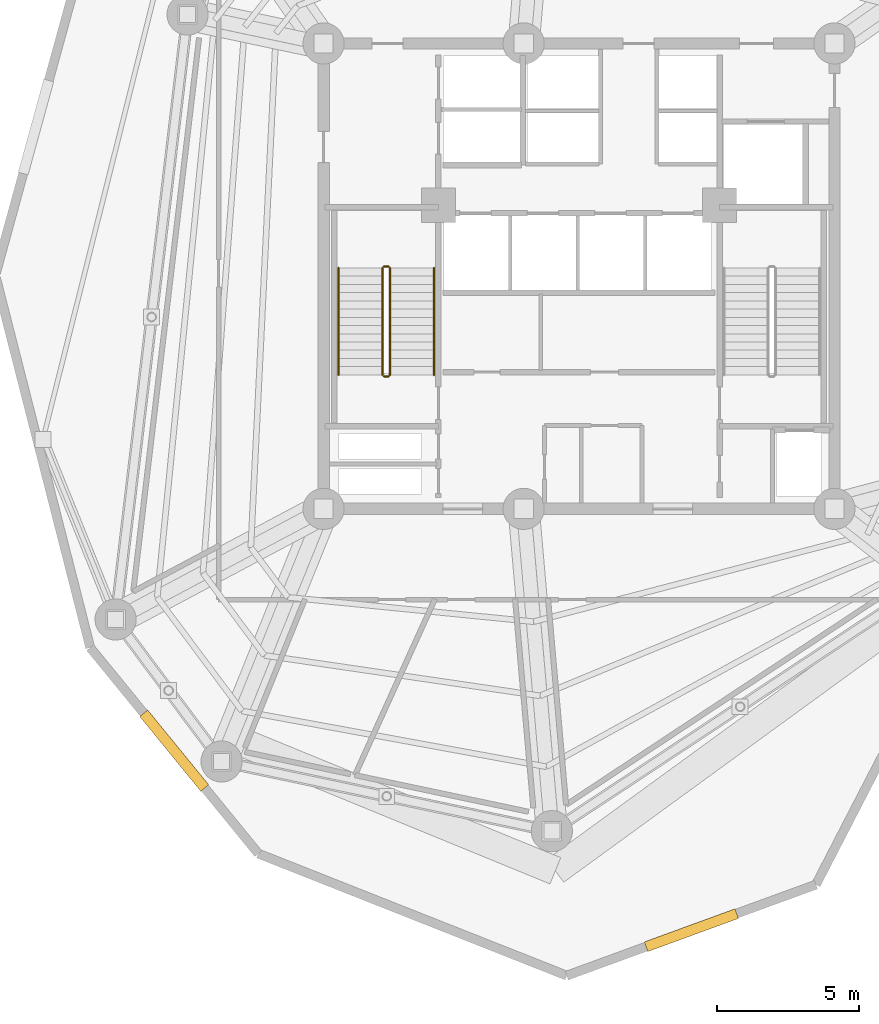
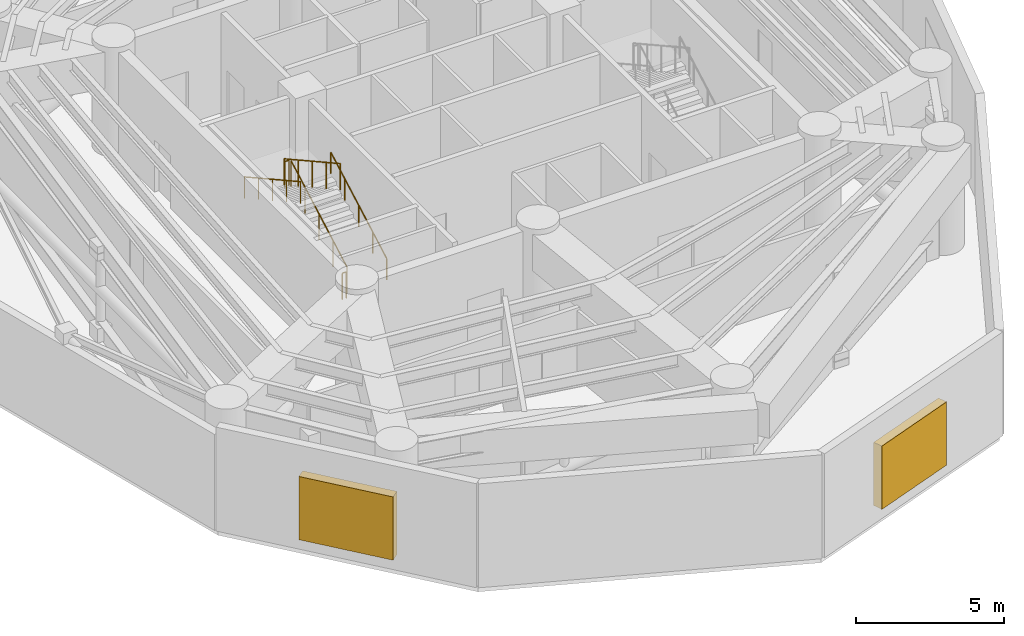
# One storey, part 9 of 11: 6 railings, 2 shading devices.
"""IFC4 building model written with IfcOpenShell, lengths in metres."""

from ifc_helpers import new_model, si_unit, direction, frame, origin, origin_with_axes, origin_2d, place, context, subcontext, project, spatial, rectangle, circle, extrude, source, transform, mapped, material, layer, layer_set, type_object, element, save


model = new_model("IFC4")

# Units and contexts
model_context = context("Model", 3, precision=1e-05, world=origin(), true_north=direction((0.0, 1.0)))
body_context = subcontext(model_context, "Body", "Model", "MODEL_VIEW")
ifc_project = project(units=[si_unit("LENGTHUNIT", "METRE"), si_unit("AREAUNIT", "SQUARE_METRE"), si_unit("VOLUMEUNIT", "CUBIC_METRE"), si_unit("PLANEANGLEUNIT", "RADIAN"), si_unit("MASSUNIT", "GRAM", prefix="KILO")], contexts=[model_context])

# Site, building, storey
site_placement = place(None, origin())
site = spatial("IfcSite", under=ifc_project, at=site_placement, CompositionType="ELEMENT")
building_placement = place(site_placement, origin())
building = spatial("IfcBuilding", under=site, at=building_placement, Name="Karkom Vertical University and Central Library", CompositionType="ELEMENT")
storey_placement = place(building_placement, frame((0.0, 0.0, 148.050048828125)))
storey = spatial("IfcBuildingStorey", under=building, at=storey_placement, Name="P42", CompositionType="ELEMENT", Elevation=148.050048828125)

# Railings
ifc_material_1 = material(Name="Painted galvanised steel balustrade", Category="steel")
ifc_layer_1 = layer(ifc_material_1, 0.06005859375)
ifc_layer_set_1 = layer_set([ifc_layer_1], Name="Painted galvanised steel balustrade")
railing_type_1 = type_object("IfcRailingType", Name="INT-RL-GUARD1100", PredefinedType="GUARDRAIL", material=ifc_layer_set_1)
railing_1_placement = place(storey_placement, frame((21.840087890625, 23.02001953125, 0.16064453125)))
element("IfcRailing", 1, at=railing_1_placement, inside=storey, type_object=railing_type_1, Name="Plant Level 42 ST-1 stair guard 1", PredefinedType="GUARDRAIL", context=body_context, shape_type="SweptSolid", body=[
    extrude(circle(Radius=0.02392578125, at=origin_2d()), frame((0.0, 0.0, 1.076171875), z_axis=(0.0, 0.874659101714, 0.484738543742), x_axis=(-1.0, 0.0, 0.0)), (0.0, 0.0, 1.0), 4.310302734375),
    extrude(circle(Radius=0.02099609375, at=origin_2d()), origin(), (0.0, 0.0, 1.0), 1.052001953125),
    extrude(circle(Radius=0.02099609375, at=origin_2d()), frame((0.0, 0.9423828125, 0.5224609375)), (0.0, 0.0, 1.0), 1.052001953125),
    extrude(circle(Radius=0.02099609375, at=origin_2d()), frame((0.0, 1.885009765625, 1.044677734375)), (0.0, 0.0, 1.0), 1.052001953125),
    extrude(circle(Radius=0.02099609375, at=origin_2d()), frame((0.0, 2.82763671875, 1.56689453125)), (0.0, 0.0, 1.0), 1.052001953125),
    extrude(circle(Radius=0.02099609375, at=origin_2d()), frame((0.0, 3.77001953125, 2.08935546875)), (0.0, 0.0, 1.0), 1.052001953125),
])
railing_2_placement = place(storey_placement, frame((21.7900390625, 26.840087890625, 2.25)))
element("IfcRailing", 2, at=railing_2_placement, inside=storey, type_object=railing_type_1, Name="Plant Level 42 ST-1 stair guard 2", PredefinedType="GUARDRAIL", context=body_context, shape_type="SweptSolid", body=[
    extrude(circle(Radius=0.02392578125, at=origin_2d()), frame((0.0, 0.0, 1.076171875), z_axis=(-1.0, 0.0, 0.0), x_axis=(0.0, -1.0, 0.0)), (0.0, 0.0, 1.0), 0.16015625),
    extrude(circle(Radius=0.02099609375, at=origin_2d()), origin(), (0.0, 0.0, 1.0), 1.052001953125),
    extrude(circle(Radius=0.02099609375, at=origin_2d()), frame((-0.16015625, 0.0, 0.0)), (0.0, 0.0, 1.0), 1.052001953125),
])
railing_3_placement = place(storey_placement, frame((21.580078125, 26.7900390625, 2.41064453125)))
element("IfcRailing", 3, at=railing_3_placement, inside=storey, type_object=railing_type_1, Name="Plant Level 42 ST-1 stair guard 3", PredefinedType="GUARDRAIL", context=body_context, shape_type="SweptSolid", body=[
    extrude(circle(Radius=0.02392578125, at=origin_2d()), frame((0.0, 0.0, 1.076171875), z_axis=(0.0, -0.874659101714, 0.484738543742), x_axis=(1.0, 0.0, 0.0)), (0.0, 0.0, 1.0), 4.310302734375),
    extrude(circle(Radius=0.02099609375, at=origin_2d()), origin(), (0.0, 0.0, 1.0), 1.052001953125),
    extrude(circle(Radius=0.02099609375, at=origin_2d()), frame((0.0, -0.9423828125, 0.5224609375)), (0.0, 0.0, 1.0), 1.052001953125),
    extrude(circle(Radius=0.02099609375, at=origin_2d()), frame((0.0, -1.885009765625, 1.044677734375)), (0.0, 0.0, 1.0), 1.052001953125),
    extrude(circle(Radius=0.02099609375, at=origin_2d()), frame((0.0, -2.82763671875, 1.56689453125)), (0.0, 0.0, 1.0), 1.052001953125),
    extrude(circle(Radius=0.02099609375, at=origin_2d()), frame((0.0, -3.77001953125, 2.08935546875)), (0.0, 0.0, 1.0), 1.052001953125),
])
railing_4_placement = place(storey_placement, frame((21.7900390625, 22.969970703125, 0.0)))
element("IfcRailing", 4, at=railing_4_placement, inside=storey, type_object=railing_type_1, Name="Plant Level 42 ST-1 stair guard 4", PredefinedType="GUARDRAIL", context=body_context, shape_type="SweptSolid", body=[
    extrude(circle(Radius=0.02392578125, at=origin_2d()), frame((0.0, 0.0, 1.076171875), z_axis=(-1.0, 0.0, 0.0), x_axis=(0.0, -1.0, 0.0)), (0.0, 0.0, 1.0), 0.16015625),
    extrude(circle(Radius=0.02099609375, at=origin_2d()), origin(), (0.0, 0.0, 1.0), 1.052001953125),
    extrude(circle(Radius=0.02099609375, at=origin_2d()), frame((-0.16015625, 0.0, 0.0)), (0.0, 0.0, 1.0), 1.052001953125),
])
ifc_material_2 = material(Name="Brushed stainless-steel tubular handrail", Category="steel")
ifc_layer_2 = layer(ifc_material_2, 0.048095703125)
ifc_layer_set_2 = layer_set([ifc_layer_2], Name="Brushed stainless-steel tubular handrail")
railing_type_2 = type_object("IfcRailingType", Name="INT-RL-HAND920", PredefinedType="HANDRAIL", material=ifc_layer_set_2)
railing_5_placement = place(storey_placement, frame((23.389892578125, 23.02001953125, 0.16064453125)))
element("IfcRailing", 5, at=railing_5_placement, inside=storey, type_object=railing_type_2, Name="Plant Level 42 ST-1 stair handrail 1", PredefinedType="HANDRAIL", context=body_context, shape_type="SweptSolid", body=[
    extrude(circle(Radius=0.02392578125, at=origin_2d()), frame((0.0, 0.0, 0.8759765625), z_axis=(0.0, 0.874659101714, 0.484738543742), x_axis=(-1.0, 0.0, 0.0)), (0.0, 0.0, 1.0), 4.310302734375),
    extrude(circle(Radius=0.02099609375, at=origin_2d()), origin(), (0.0, 0.0, 1.0), 0.851806640625),
    extrude(circle(Radius=0.02099609375, at=origin_2d()), frame((0.0, 0.9423828125, 0.5224609375)), (0.0, 0.0, 1.0), 0.851806640625),
    extrude(circle(Radius=0.02099609375, at=origin_2d()), frame((0.0, 1.885009765625, 1.044677734375)), (0.0, 0.0, 1.0), 0.851806640625),
    extrude(circle(Radius=0.02099609375, at=origin_2d()), frame((0.0, 2.82763671875, 1.56689453125)), (0.0, 0.0, 1.0), 0.851806640625),
    extrude(circle(Radius=0.02099609375, at=origin_2d()), frame((0.0, 3.77001953125, 2.08935546875)), (0.0, 0.0, 1.0), 0.851806640625),
])
railing_6_placement = place(storey_placement, frame((20.030029296875, 26.7900390625, 2.41064453125)))
element("IfcRailing", 6, at=railing_6_placement, inside=storey, type_object=railing_type_2, Name="Plant Level 42 ST-1 stair handrail 2", PredefinedType="HANDRAIL", context=body_context, shape_type="SweptSolid", body=[
    extrude(circle(Radius=0.02392578125, at=origin_2d()), frame((0.0, 0.0, 0.8759765625), z_axis=(0.0, -0.874659101714, 0.484738543742), x_axis=(1.0, 0.0, 0.0)), (0.0, 0.0, 1.0), 4.310302734375),
    extrude(circle(Radius=0.02099609375, at=origin_2d()), origin(), (0.0, 0.0, 1.0), 0.851806640625),
    extrude(circle(Radius=0.02099609375, at=origin_2d()), frame((0.0, -0.9423828125, 0.5224609375)), (0.0, 0.0, 1.0), 0.851806640625),
    extrude(circle(Radius=0.02099609375, at=origin_2d()), frame((0.0, -1.885009765625, 1.044677734375)), (0.0, 0.0, 1.0), 0.851806640625),
    extrude(circle(Radius=0.02099609375, at=origin_2d()), frame((0.0, -2.82763671875, 1.56689453125)), (0.0, 0.0, 1.0), 0.851806640625),
    extrude(circle(Radius=0.02099609375, at=origin_2d()), frame((0.0, -3.77001953125, 2.08935546875)), (0.0, 0.0, 1.0), 0.851806640625),
])

# Shading devices
ifc_material_3 = material(Name="Powder-coated aluminium acoustic weather louvre", Category="aluminium")
ifc_layer_3 = layer(ifc_material_3, 0.159912109375)
ifc_layer_set_3 = layer_set([ifc_layer_3], Name="Powder-coated aluminium acoustic weather louvre")
shading_device_type = type_object("IfcShadingDeviceType", Name="ENV-SHD-LOUVRE", PredefinedType="JALOUSIE", material=ifc_layer_set_3)
shared_shape = source(origin_with_axes(), body_context, "Body", "SweptSolid", [
    extrude(rectangle(XDim=3.39990234375, YDim=0.360107421875, at=origin_2d()), origin(), (0.0, 0.0, 1.0), 2.60009765625),
])
for number, where, z_axis, x_axis, name in (
    (7, (14.236083984375, 9.78076171875, 0.39990234375), (0.0, 0.0, 1.0), (0.632299770811, -0.77472382165, 0.0), "Plant Level 42 Mechanical Acoustic Louvre 03"),
    (8, (32.459716796875, 3.4541015625, 0.39990234375), (0.0, 0.0, 1.0), (0.939333942951, 0.343003999424, 0.0), "Plant Level 42 Mechanical Acoustic Louvre 05"),
):
    element("IfcShadingDevice", number, at=place(storey_placement, frame(where, z_axis=z_axis, x_axis=x_axis)), inside=storey, type_object=shading_device_type, Name=name, PredefinedType="JALOUSIE", context=body_context, shape_type="MappedRepresentation", body=[
        mapped(shared_shape, transform((0.0, 0.0, 0.0), scale=1.0)),
    ])

save(model, "model.ifc")
